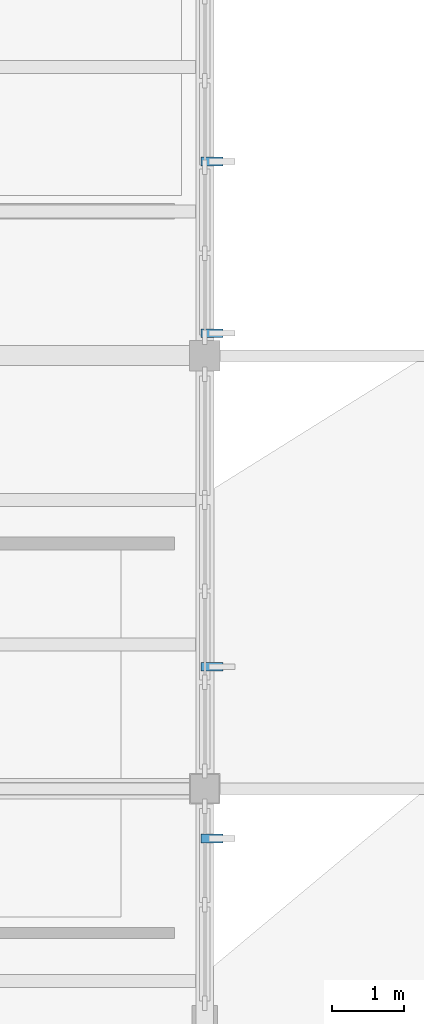
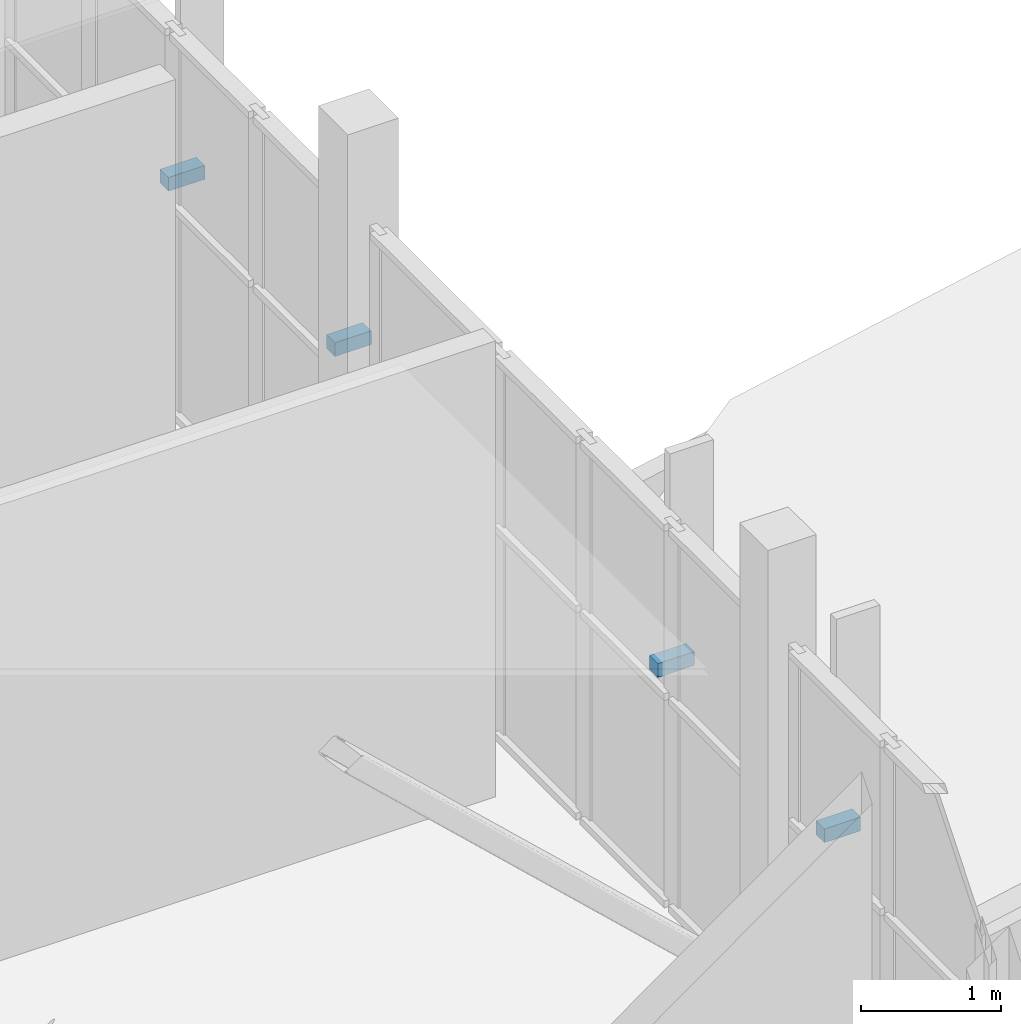
# One storey, part 42 of 45: 4 discrete accessories.
"""IFC4 building model written with IfcOpenShell, lengths in metres."""

from ifc_helpers import new_model, si_unit, direction, frame, origin, origin_2d, place, context, subcontext, project, spatial, rectangle, extrude, material, type_object, element, save


model = new_model("IFC4")

# Units and contexts
model_context = context("Model", 3, precision=1e-05, world=origin(), true_north=direction((0.0, 1.0)))
body_context = subcontext(model_context, "Body", "Model", "MODEL_VIEW")
ifc_project = project(units=[si_unit("LENGTHUNIT", "METRE"), si_unit("AREAUNIT", "SQUARE_METRE"), si_unit("VOLUMEUNIT", "CUBIC_METRE"), si_unit("PLANEANGLEUNIT", "RADIAN"), si_unit("MASSUNIT", "GRAM", prefix="KILO")], contexts=[model_context])

# Site, building, storey
site_placement = place(None, origin())
site = spatial("IfcSite", under=ifc_project, at=site_placement, CompositionType="ELEMENT")
building_placement = place(site_placement, origin())
building = spatial("IfcBuilding", under=site, at=building_placement, Name="Solvane Community Centre", CompositionType="ELEMENT")
storey_placement = place(building_placement, frame((0.0, 0.0, 13.800048828125)))
storey = spatial("IfcBuildingStorey", under=building, at=storey_placement, Name="L03", CompositionType="ELEMENT", Elevation=13.800048828125)

# Discrete accessories
ifc_material = material(Name="Steel ASTM A572 Grade 50", Category="steel")
discrete_accessory_type = type_object("IfcDiscreteAccessoryType", Name="Fin Mounting Bracket 120x120", PredefinedType="BRACKET", material=ifc_material)
for number, where, z_axis, x_axis, name in (
    (1, (140.10009765625, 38.68994140625, 1.929931640625), (0.0, 0.0, 1.0), (0.0, -1.0, 0.0), "Fin Bracket 117"),
    (2, (140.10009765625, 36.31005859375, 1.929931640625), (0.0, 0.0, 1.0), (0.0, -1.0, 0.0), "Fin Bracket 118"),
    (3, (140.10009765625, 31.68994140625, 1.929931640625), (0.0, 0.0, 1.0), (0.0, -1.0, 0.0), "Fin Bracket 119"),
    (4, (140.10009765625, 29.31005859375, 1.929931640625), (0.0, 0.0, 1.0), (0.0, -1.0, 0.0), "Fin Bracket 120"),
):
    element("IfcDiscreteAccessory", number, at=place(storey_placement, frame(where, z_axis=z_axis, x_axis=x_axis)), inside=storey, type_object=discrete_accessory_type, Name=name, PredefinedType="BRACKET", context=body_context, shape_type="SweptSolid", body=[
        extrude(rectangle(XDim=0.1201171875, YDim=0.300048828125, at=origin_2d()), origin(), (0.0, 0.0, 1.0), 0.1201171875),
    ])

save(model, "model.ifc")
